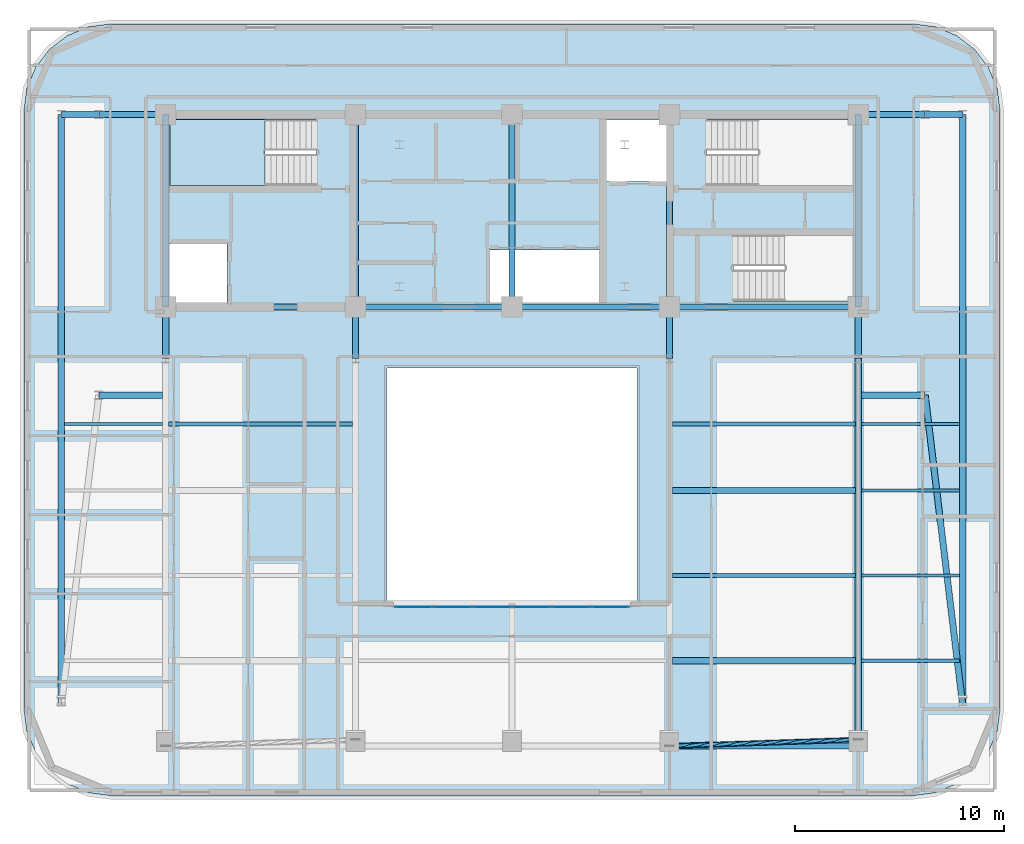
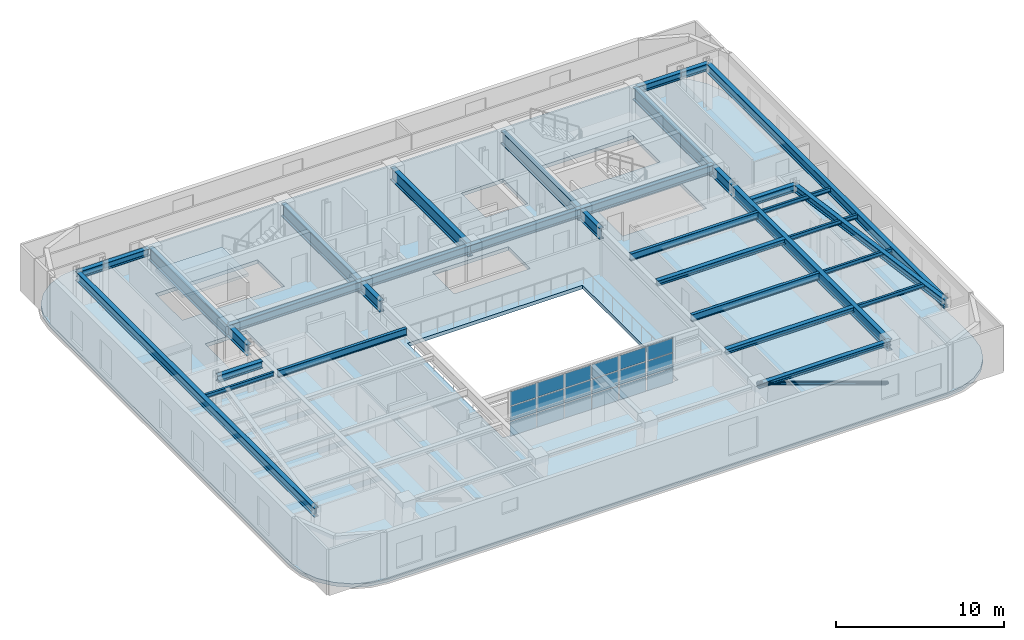
# One storey, part 3 of 14: 34 beams, 18 plates, 2 slabs, 1 member, 2 elements without a shape of their own.
"""IFC4 building model written with IfcOpenShell, lengths in metres."""

from ifc_helpers import new_model, si_unit, direction, frame, origin, origin_2d, place, context, subcontext, project, spatial, polyline, rectangle, hollow_circle, i_section, outline, extrude, material, layer, layer_set, material_profile, profile_set, type_object, element, aggregate, save


model = new_model("IFC4")

# Units and contexts
model_context = context("Model", 3, precision=1e-05, world=origin(), true_north=direction((0.0, 1.0)))
body_context = subcontext(model_context, "Body", "Model", "MODEL_VIEW")
ifc_project = project(units=[si_unit("LENGTHUNIT", "METRE"), si_unit("AREAUNIT", "SQUARE_METRE"), si_unit("VOLUMEUNIT", "CUBIC_METRE"), si_unit("PLANEANGLEUNIT", "RADIAN"), si_unit("MASSUNIT", "GRAM", prefix="KILO")], contexts=[model_context])

# Site, building, storey
site_placement = place(None, origin())
site = spatial("IfcSite", under=ifc_project, at=site_placement, CompositionType="ELEMENT")
building_placement = place(site_placement, origin())
building = spatial("IfcBuilding", under=site, at=building_placement, Name="Zarnavel Station Tower", CompositionType="ELEMENT")
storey_placement = place(building_placement, frame((0.0, 0.0, 211.199951171875)))
storey = spatial("IfcBuildingStorey", under=building, at=storey_placement, Name="L57", CompositionType="ELEMENT", Elevation=211.199951171875)

# Member
ifc_material_1 = material(Name="Steel S355J2", Category="steel")
ifc_material_profile_1 = material_profile(ifc_material_1, hollow_circle(Radius=0.122314453125, WallThickness=0.010009765625, at=origin_2d()), Name="CHS244.5x10")
ifc_profile_set_1 = profile_set([ifc_material_profile_1], Name="Steel S355J2")
member_type = type_object("IfcMemberType", Name="DB_EXT_CHS245", PredefinedType="BRACE", material=ifc_profile_set_1)
member_placement = place(storey_placement, frame((45.39990234375, 7.089111328125, 0.0), z_axis=(-0.937681259663, -0.031367345473, 0.3460779463), x_axis=(0.033433332735, -0.999440949863, 0.0)))
element("IfcMember", 1, at=member_placement, inside=storey, type_object=member_type, Name="L57 Persian Exterior Diagonal Frame Brace 2", PredefinedType="BRACE", context=body_context, shape_type="SweptSolid", body=[
    extrude(hollow_circle(Radius=0.122314453125, WallThickness=0.010009765625, at=origin_2d()), origin(), (0.0, 0.0, 1.0), 9.6513671875),
])

# Beams
ifc_material_2 = material(Name="Steel S355J2", Category="steel")
ifc_material_profile_2 = material_profile(ifc_material_2, i_section(OverallWidth=0.300048828125, OverallDepth=0.320068359375, WebThickness=0.011474609375, FlangeThickness=0.0205078125, FilletRadius=0.027099609375, at=origin_2d()), Name="HEB320")
ifc_profile_set_2 = profile_set([ifc_material_profile_2], Name="Steel S355J2")
beam_type_1 = type_object("IfcBeamType", Name="EB_HEB320", PredefinedType="SPANDREL", material=ifc_profile_set_2)
beam_1_placement = place(storey_placement, frame((36.35009765625, 6.786376953125, 3.179931640625), z_axis=(1.0, 0.0, 0.0), x_axis=(0.0, 1.0, 0.0)))
element("IfcBeam", 2, at=beam_1_placement, inside=storey, type_object=beam_type_1, Name="L57 South Raked Spandrel 4", PredefinedType="SPANDREL", context=body_context, shape_type="SweptSolid", body=[
    extrude(i_section(OverallWidth=0.300048828125, OverallDepth=0.320068359375, WebThickness=0.011474609375, FlangeThickness=0.0205078125, FilletRadius=0.027099609375, at=origin_2d()), origin(), (0.0, 0.0, 1.0), 9.0498046875),
])
ifc_material_3 = material(Name="Steel S355J2", Category="steel")
ifc_material_profile_3 = material_profile(ifc_material_3, i_section(OverallWidth=0.300048828125, OverallDepth=0.35009765625, WebThickness=0.010009765625, FlangeThickness=0.017578125, FilletRadius=0.027099609375, at=origin_2d()), Name="HEA360")
ifc_profile_set_3 = profile_set([ifc_material_profile_3], Name="Steel S355J2")
beam_type_2 = type_object("IfcBeamType", Name="FB_HEA360", PredefinedType="BEAM", material=ifc_profile_set_3)
for number, where, z_axis, x_axis, name in (
    (3, (36.4951171875, 10.869140625, 3.1650390625), (1.0, 0.0, 0.0), (0.0, 1.0, 0.0), "L57 East Bay Beam 1"),
    (4, (36.4951171875, 19.03466796875, 3.1650390625), (1.0, 0.0, 0.0), (0.0, 1.0, 0.0), "L57 East Bay Beam 3"),
):
    element("IfcBeam", number, at=place(storey_placement, frame(where, z_axis=z_axis, x_axis=x_axis)), inside=storey, type_object=beam_type_2, Name=name, PredefinedType="BEAM", context=body_context, shape_type="SweptSolid", body=[
        extrude(i_section(OverallWidth=0.300048828125, OverallDepth=0.35009765625, WebThickness=0.010009765625, FlangeThickness=0.017578125, FilletRadius=0.027099609375, at=origin_2d()), origin(), (0.0, 0.0, 1.0), 8.759765625),
    ])
ifc_material_4 = material(Name="Steel S355J2", Category="steel")
ifc_material_profile_4 = material_profile(ifc_material_4, i_section(OverallWidth=0.199951171875, OverallDepth=0.5, WebThickness=0.01025390625, FlangeThickness=0.01611328125, FilletRadius=0.02099609375, at=origin_2d()), Name="IPE500")
ifc_profile_set_4 = profile_set([ifc_material_profile_4], Name="Steel S355J2")
beam_type_3 = type_object("IfcBeamType", Name="FB_IPE500", PredefinedType="BEAM", material=ifc_profile_set_4)
beam_2_placement = place(storey_placement, frame((36.4951171875, 14.951904296875, 3.090087890625), z_axis=(1.0, 0.0, 0.0), x_axis=(0.0, 1.0, 0.0)))
element("IfcBeam", 5, at=beam_2_placement, inside=storey, type_object=beam_type_3, Name="L57 East Bay Beam 2", PredefinedType="BEAM", context=body_context, shape_type="SweptSolid", body=[
    extrude(i_section(OverallWidth=0.199951171875, OverallDepth=0.5, WebThickness=0.01025390625, FlangeThickness=0.01611328125, FilletRadius=0.02099609375, at=origin_2d()), origin(), (0.0, 0.0, 1.0), 8.759765625),
])
beam_3_placement = place(storey_placement, frame((12.344970703125, 22.21728515625, 3.090087890625), z_axis=(1.0, 0.0, 0.0), x_axis=(0.0, 1.0, 0.0)))
element("IfcBeam", 6, at=beam_3_placement, inside=storey, type_object=beam_type_3, Name="L57 West Bay Beam 4", PredefinedType="BEAM", context=body_context, shape_type="SweptSolid", body=[
    extrude(i_section(OverallWidth=0.199951171875, OverallDepth=0.5, WebThickness=0.01025390625, FlangeThickness=0.01611328125, FilletRadius=0.02099609375, at=origin_2d()), origin(), (0.0, 0.0, 1.0), 8.81005859375),
])
beam_4_placement = place(storey_placement, frame((36.4951171875, 22.21728515625, 3.090087890625), z_axis=(1.0, 0.0, 0.0), x_axis=(0.0, 1.0, 0.0)))
element("IfcBeam", 7, at=beam_4_placement, inside=storey, type_object=beam_type_3, Name="L57 East Bay Beam 4", PredefinedType="BEAM", context=body_context, shape_type="SweptSolid", body=[
    extrude(i_section(OverallWidth=0.199951171875, OverallDepth=0.5, WebThickness=0.01025390625, FlangeThickness=0.01611328125, FilletRadius=0.02099609375, at=origin_2d()), origin(), (0.0, 0.0, 1.0), 8.759765625),
])
ifc_material_5 = material(Name="Steel S355J2", Category="steel")
ifc_material_profile_5 = material_profile(ifc_material_5, i_section(OverallWidth=0.300048828125, OverallDepth=0.5, WebThickness=0.014404296875, FlangeThickness=0.028076171875, FilletRadius=0.027099609375, at=origin_2d()), Name="HEB500")
ifc_profile_set_5 = profile_set([ifc_material_profile_5], Name="Steel S355J2")
beam_type_4 = type_object("IfcBeamType", Name="FG_HEB500", PredefinedType="USERDEFINED", material=ifc_profile_set_5)
beam_5_placement = place(storey_placement, frame((7.199951171875, 37.050048828125, 3.090087890625), z_axis=(1.0, 0.0, 0.0), x_axis=(0.0, 1.0, 0.0)))
element("IfcBeam", 8, at=beam_5_placement, inside=storey, type_object=beam_type_4, Name="L57 West Wing North Tie 1", ObjectType="GIRDER", PredefinedType="USERDEFINED", context=body_context, shape_type="SweptSolid", body=[
    extrude(i_section(OverallWidth=0.300048828125, OverallDepth=0.5, WebThickness=0.014404296875, FlangeThickness=0.028076171875, FilletRadius=0.027099609375, at=origin_2d()), origin(), (0.0, 0.0, 1.0), 1.800048828125),
])
for number, where, z_axis, x_axis, name in (
    (9, (9.0, 23.60009765625, 3.090087890625), (1.0, 0.0, 0.0), (0.0, 1.0, 0.0), "L57 West Wing South Tie 2"),
    (10, (9.0, 37.050048828125, 3.090087890625), (1.0, 0.0, 0.0), (0.0, 1.0, 0.0), "L57 West Wing North Tie 2"),
):
    element("IfcBeam", number, at=place(storey_placement, frame(where, z_axis=z_axis, x_axis=x_axis)), inside=storey, type_object=beam_type_4, Name=name, ObjectType="GIRDER", PredefinedType="USERDEFINED", context=body_context, shape_type="SweptSolid", body=[
        extrude(i_section(OverallWidth=0.300048828125, OverallDepth=0.5, WebThickness=0.014404296875, FlangeThickness=0.028076171875, FilletRadius=0.027099609375, at=origin_2d()), origin(), (0.0, 0.0, 1.0), 3.054931640625),
    ])
for number, where, z_axis, x_axis, name in (
    (11, (45.544921875, 23.60009765625, 3.090087890625), (1.0, 0.0, 0.0), (0.0, 1.0, 0.0), "L57 East Wing South Tie 1"),
    (12, (45.544921875, 37.050048828125, 3.090087890625), (1.0, 0.0, 0.0), (0.0, 1.0, 0.0), "L57 East Wing North Tie 1"),
):
    element("IfcBeam", number, at=place(storey_placement, frame(where, z_axis=z_axis, x_axis=x_axis)), inside=storey, type_object=beam_type_4, Name=name, ObjectType="GIRDER", PredefinedType="USERDEFINED", context=body_context, shape_type="SweptSolid", body=[
        extrude(i_section(OverallWidth=0.300048828125, OverallDepth=0.5, WebThickness=0.014404296875, FlangeThickness=0.028076171875, FilletRadius=0.027099609375, at=origin_2d()), origin(), (0.0, 0.0, 1.0), 3.05517578125),
    ])
beam_6_placement = place(storey_placement, frame((48.60009765625, 23.60009765625, 3.090087890625), z_axis=(0.120150300673, -0.992755712775, 0.0), x_axis=(0.992755712775, 0.120150300673, 0.0)))
element("IfcBeam", 13, at=beam_6_placement, inside=storey, type_object=beam_type_4, Name="L57 East Wing South Tie 2", ObjectType="GIRDER", PredefinedType="USERDEFINED", context=body_context, shape_type="SweptSolid", body=[
    extrude(i_section(OverallWidth=0.300048828125, OverallDepth=0.5, WebThickness=0.014404296875, FlangeThickness=0.028076171875, FilletRadius=0.027099609375, at=origin_2d()), origin(), (0.0, 0.0, 1.0), 14.9794921875),
])
beam_7_placement = place(storey_placement, frame((48.60009765625, 37.050048828125, 3.090087890625), z_axis=(1.0, 0.0, 0.0), x_axis=(0.0, 1.0, 0.0)))
element("IfcBeam", 14, at=beam_7_placement, inside=storey, type_object=beam_type_4, Name="L57 East Wing North Tie 2", ObjectType="GIRDER", PredefinedType="USERDEFINED", context=body_context, shape_type="SweptSolid", body=[
    extrude(i_section(OverallWidth=0.300048828125, OverallDepth=0.5, WebThickness=0.014404296875, FlangeThickness=0.028076171875, FilletRadius=0.027099609375, at=origin_2d()), origin(), (0.0, 0.0, 1.0), 1.7998046875),
])
ifc_material_6 = material(Name="Steel S355J2", Category="steel")
ifc_material_profile_6 = material_profile(ifc_material_6, i_section(OverallWidth=0.300048828125, OverallDepth=0.60009765625, WebThickness=0.015380859375, FlangeThickness=0.030029296875, FilletRadius=0.027099609375, at=origin_2d()), Name="HEB600")
ifc_profile_set_6 = profile_set([ifc_material_profile_6], Name="Steel S355J2")
beam_type_5 = type_object("IfcBeamType", Name="FG_HEB600", PredefinedType="USERDEFINED", material=ifc_profile_set_6)
beam_8_placement = place(storey_placement, frame((12.199951171875, 27.820068359375, 3.0400390625), z_axis=(1.0, 0.0, 0.0), x_axis=(0.0, 1.0, 0.0)))
element("IfcBeam", 15, at=beam_8_placement, inside=storey, type_object=beam_type_5, Name="L57 Core Front Coupling Beam 1", ObjectType="GIRDER", PredefinedType="USERDEFINED", context=body_context, shape_type="SweptSolid", body=[
    extrude(i_section(OverallWidth=0.300048828125, OverallDepth=0.60009765625, WebThickness=0.015380859375, FlangeThickness=0.030029296875, FilletRadius=0.027099609375, at=origin_2d()), origin(), (0.0, 0.0, 1.0), 9.10009765625),
])
beam_9_placement = place(storey_placement, frame((21.300048828125, 27.820068359375, 3.0400390625), z_axis=(1.0, 0.0, 0.0), x_axis=(0.0, 1.0, 0.0)))
element("IfcBeam", 16, at=beam_9_placement, inside=storey, type_object=beam_type_5, Name="L57 Core Front Coupling Beam 2", ObjectType="GIRDER", PredefinedType="USERDEFINED", context=body_context, shape_type="SweptSolid", body=[
    extrude(i_section(OverallWidth=0.300048828125, OverallDepth=0.60009765625, WebThickness=0.015380859375, FlangeThickness=0.030029296875, FilletRadius=0.027099609375, at=origin_2d()), origin(), (0.0, 0.0, 1.0), 7.5),
])
beam_10_placement = place(storey_placement, frame((28.800048828125, 27.820068359375, 3.0400390625), z_axis=(1.0, 0.0, 0.0), x_axis=(0.0, 1.0, 0.0)))
element("IfcBeam", 17, at=beam_10_placement, inside=storey, type_object=beam_type_5, Name="L57 Core Front Coupling Beam 3", ObjectType="GIRDER", PredefinedType="USERDEFINED", context=body_context, shape_type="SweptSolid", body=[
    extrude(i_section(OverallWidth=0.300048828125, OverallDepth=0.60009765625, WebThickness=0.015380859375, FlangeThickness=0.030029296875, FilletRadius=0.027099609375, at=origin_2d()), origin(), (0.0, 0.0, 1.0), 7.550048828125),
])
beam_11_placement = place(storey_placement, frame((36.35009765625, 27.820068359375, 3.0400390625), z_axis=(1.0, 0.0, 0.0), x_axis=(0.0, 1.0, 0.0)))
element("IfcBeam", 18, at=beam_11_placement, inside=storey, type_object=beam_type_5, Name="L57 Core Front Coupling Beam 4", ObjectType="GIRDER", PredefinedType="USERDEFINED", context=body_context, shape_type="SweptSolid", body=[
    extrude(i_section(OverallWidth=0.300048828125, OverallDepth=0.60009765625, WebThickness=0.015380859375, FlangeThickness=0.030029296875, FilletRadius=0.027099609375, at=origin_2d()), origin(), (0.0, 0.0, 1.0), 9.0498046875),
])
ifc_material_7 = material(Name="Steel S355J2", Category="steel")
ifc_material_profile_7 = material_profile(ifc_material_7, i_section(OverallWidth=0.300048828125, OverallDepth=0.64990234375, WebThickness=0.01611328125, FlangeThickness=0.031005859375, FilletRadius=0.027099609375, at=origin_2d()), Name="HEB650")
ifc_profile_set_7 = profile_set([ifc_material_profile_7], Name="Steel S355J2")
beam_type_6 = type_object("IfcBeamType", Name="FG_HEB650", PredefinedType="USERDEFINED", material=ifc_profile_set_7)
for number, where, z_axis, x_axis, name in (
    (19, (7.199951171875, 8.72900390625, 3.01513671875), (0.0, 1.0, 0.0), (-1.0, 0.0, 0.0), "L57 Wing NS Girder 1"),
    (20, (50.39990234375, 8.72900390625, 3.01513671875), (0.0, 1.0, 0.0), (-1.0, 0.0, 0.0), "L57 Wing NS Girder 2"),
):
    element("IfcBeam", number, at=place(storey_placement, frame(where, z_axis=z_axis, x_axis=x_axis)), inside=storey, type_object=beam_type_6, Name=name, ObjectType="GIRDER", PredefinedType="USERDEFINED", context=body_context, shape_type="SweptSolid", body=[
        extrude(i_section(OverallWidth=0.300048828125, OverallDepth=0.64990234375, WebThickness=0.01611328125, FlangeThickness=0.031005859375, FilletRadius=0.027099609375, at=origin_2d()), origin(), (0.0, 0.0, 1.0), 28.321044921875),
    ])
ifc_material_8 = material(Name="Steel S355J2", Category="steel")
ifc_material_profile_8 = material_profile(ifc_material_8, i_section(OverallWidth=0.300048828125, OverallDepth=0.800048828125, WebThickness=0.017578125, FlangeThickness=0.032958984375, FilletRadius=0.030029296875, at=origin_2d()), Name="HEB800")
ifc_profile_set_8 = profile_set([ifc_material_profile_8], Name="Steel S355J2")
beam_type_7 = type_object("IfcBeamType", Name="FG_HEB800", PredefinedType="USERDEFINED", material=ifc_profile_set_8)
for number, where, z_axis, x_axis, name in (
    (21, (12.199951171875, 25.35009765625, 2.93994140625), (0.0, 1.0, 0.0), (-1.0, 0.0, 0.0), "L57 Inner-Zone NS Girder 1"),
    (22, (21.300048828125, 25.35009765625, 2.93994140625), (0.0, 1.0, 0.0), (-1.0, 0.0, 0.0), "L57 Inner-Zone NS Girder 2"),
    (23, (36.35009765625, 25.35009765625, 2.93994140625), (0.0, 1.0, 0.0), (-1.0, 0.0, 0.0), "L57 Inner-Zone NS Girder 4"),
):
    element("IfcBeam", number, at=place(storey_placement, frame(where, z_axis=z_axis, x_axis=x_axis)), inside=storey, type_object=beam_type_7, Name=name, ObjectType="GIRDER", PredefinedType="USERDEFINED", context=body_context, shape_type="SweptSolid", body=[
        extrude(i_section(OverallWidth=0.300048828125, OverallDepth=0.800048828125, WebThickness=0.017578125, FlangeThickness=0.032958984375, FilletRadius=0.030029296875, at=origin_2d()), origin(), (0.0, 0.0, 1.0), 2.469970703125),
    ])
beam_12_placement = place(storey_placement, frame((45.39990234375, 6.786376953125, 2.93994140625), z_axis=(0.0, 1.0, 0.0), x_axis=(-1.0, 0.0, 0.0)))
element("IfcBeam", 24, at=beam_12_placement, inside=storey, type_object=beam_type_7, Name="L57 South-Zone NS Girder 5", ObjectType="GIRDER", PredefinedType="USERDEFINED", context=body_context, shape_type="SweptSolid", body=[
    extrude(i_section(OverallWidth=0.300048828125, OverallDepth=0.800048828125, WebThickness=0.017578125, FlangeThickness=0.032958984375, FilletRadius=0.030029296875, at=origin_2d()), origin(), (0.0, 0.0, 1.0), 18.563720703125),
])
beam_13_placement = place(storey_placement, frame((45.39990234375, 25.35009765625, 2.93994140625), z_axis=(0.0, 1.0, 0.0), x_axis=(-1.0, 0.0, 0.0)))
element("IfcBeam", 25, at=beam_13_placement, inside=storey, type_object=beam_type_7, Name="L57 Inner-Zone NS Girder 5", ObjectType="GIRDER", PredefinedType="USERDEFINED", context=body_context, shape_type="SweptSolid", body=[
    extrude(i_section(OverallWidth=0.300048828125, OverallDepth=0.800048828125, WebThickness=0.017578125, FlangeThickness=0.032958984375, FilletRadius=0.030029296875, at=origin_2d()), origin(), (0.0, 0.0, 1.0), 2.469970703125),
])
ifc_material_9 = material(Name="Steel S355J2", Category="steel")
ifc_material_profile_9 = material_profile(ifc_material_9, i_section(OverallWidth=0.14990234375, OverallDepth=0.300048828125, WebThickness=0.007080078125, FlangeThickness=0.0107421875, FilletRadius=0.014892578125, at=origin_2d()), Name="IPE300")
ifc_profile_set_9 = profile_set([ifc_material_profile_9], Name="Steel S355J2")
beam_type_8 = type_object("IfcBeamType", Name="FJ_IPE300", PredefinedType="JOIST", material=ifc_profile_set_9)
for number, where, z_axis, x_axis, name in (
    (26, (45.544921875, 10.869140625, 3.18994140625), (1.0, 0.0, 0.0), (0.0, 1.0, 0.0), "L57 East Wing Joist 1"),
    (27, (45.544921875, 14.951904296875, 3.18994140625), (1.0, 0.0, 0.0), (0.0, 1.0, 0.0), "L57 East Wing Joist 2"),
    (28, (45.544921875, 19.03466796875, 3.18994140625), (1.0, 0.0, 0.0), (0.0, 1.0, 0.0), "L57 East Wing Joist 3"),
    (29, (7.344970703125, 22.21728515625, 3.18994140625), (1.0, 0.0, 0.0), (0.0, 1.0, 0.0), "L57 West Wing Joist 4"),
    (30, (45.544921875, 22.21728515625, 3.18994140625), (1.0, 0.0, 0.0), (0.0, 1.0, 0.0), "L57 East Wing Joist 4"),
):
    element("IfcBeam", number, at=place(storey_placement, frame(where, z_axis=z_axis, x_axis=x_axis)), inside=storey, type_object=beam_type_8, Name=name, PredefinedType="JOIST", context=body_context, shape_type="SweptSolid", body=[
        extrude(i_section(OverallWidth=0.14990234375, OverallDepth=0.300048828125, WebThickness=0.007080078125, FlangeThickness=0.0107421875, FilletRadius=0.014892578125, at=origin_2d()), origin(), (0.0, 0.0, 1.0), 4.7099609375),
    ])
ifc_material_10 = material(Name="Steel S460M", Category="steel")
ifc_material_profile_10 = material_profile(ifc_material_10, i_section(OverallWidth=0.302001953125, OverallDepth=0.909912109375, WebThickness=0.02099609375, FlangeThickness=0.0400390625, FilletRadius=0.030029296875, at=origin_2d()), Name="HEM900")
ifc_profile_set_10 = profile_set([ifc_material_profile_10], Name="Steel S460M")
beam_type_9 = type_object("IfcBeamType", Name="TG_HEM900", PredefinedType="USERDEFINED", material=ifc_profile_set_10)
for number, where, z_axis, x_axis, name in (
    (31, (12.199951171875, 27.820068359375, 2.885009765625), (0.0, 1.0, 0.0), (-1.0, 0.0, 0.0), "L57 Core Spine Coupling Girder 1"),
    (32, (21.300048828125, 27.820068359375, 2.885009765625), (0.0, 1.0, 0.0), (-1.0, 0.0, 0.0), "L57 Core Spine Coupling Girder 2"),
    (33, (28.800048828125, 27.820068359375, 2.885009765625), (0.0, 1.0, 0.0), (-1.0, 0.0, 0.0), "L57 Core Spine Coupling Girder 3"),
    (34, (36.35009765625, 27.820068359375, 2.885009765625), (0.0, 1.0, 0.0), (-1.0, 0.0, 0.0), "L57 Core Spine Coupling Girder 4"),
    (35, (45.39990234375, 27.820068359375, 2.885009765625), (0.0, 1.0, 0.0), (-1.0, 0.0, 0.0), "L57 Core Spine Coupling Girder 5"),
):
    element("IfcBeam", number, at=place(storey_placement, frame(where, z_axis=z_axis, x_axis=x_axis)), inside=storey, type_object=beam_type_9, Name=name, ObjectType="GIRDER", PredefinedType="USERDEFINED", context=body_context, shape_type="SweptSolid", body=[
        extrude(i_section(OverallWidth=0.302001953125, OverallDepth=0.909912109375, WebThickness=0.02099609375, FlangeThickness=0.0400390625, FilletRadius=0.030029296875, at=origin_2d()), origin(), (0.0, 0.0, 1.0), 9.22998046875),
    ])

# Curtain wall, plates
ifc_material_11 = material(Name="Aluminium Dark Anodised and Solar-Control Glass", Category="aluminium")
ifc_layer_1 = layer(ifc_material_11, 0.179931640625)
ifc_layer_set_1 = layer_set([ifc_layer_1], Name="CWS5")
curtain_wall_type = type_object("IfcCurtainWallType", Name="CWS5", PredefinedType="NOTDEFINED", material=ifc_layer_set_1)
curtain_wall_placement = place(storey_placement, origin())
curtain_wall = element("IfcCurtainWall", 36, at=curtain_wall_placement, inside=storey, type_object=curtain_wall_type, Name="L57 Curtain Wall CWS5-L57-AS", PredefinedType="NOTDEFINED")
ifc_material_12 = material(Name="Double Low-E Dark Solar-Control Glass", Category="glass")
ifc_layer_2 = layer(ifc_material_12, 0.033935546875)
ifc_layer_set_2 = layer_set([ifc_layer_2], Name="CWS5_PNL")
plate_type = type_object("IfcPlateType", Name="CWS5_PNL", PredefinedType="CURTAIN_PANEL", material=ifc_layer_set_2)
plate_1_placement = place(storey_placement, frame((24.106689453125, 13.449951171875, 0.06005859375), z_axis=(0.0, 0.0, 1.0), x_axis=(1.0, 0.0, 0.0)))
plate_1 = element("IfcPlate", 37, at=plate_1_placement, type_object=plate_type, Name="CW5 panel 1.1", PredefinedType="CURTAIN_PANEL", context=body_context, shape_type="SweptSolid", body=[
    extrude(rectangle(XDim=1.793212890625, YDim=0.028076171875, at=origin_2d()), origin(), (0.0, 0.0, 1.0), 1.023193359375),
])
plate_2_placement = place(storey_placement, frame((24.106689453125, 13.449951171875, 1.1435546875), z_axis=(0.0, 0.0, 1.0), x_axis=(1.0, 0.0, 0.0)))
plate_2 = element("IfcPlate", 38, at=plate_2_placement, type_object=plate_type, Name="CW5 panel 1.2", PredefinedType="CURTAIN_PANEL", context=body_context, shape_type="SweptSolid", body=[
    extrude(rectangle(XDim=1.793212890625, YDim=0.028076171875, at=origin_2d()), origin(), (0.0, 0.0, 1.0), 1.053466796875),
])
plate_3_placement = place(storey_placement, frame((24.106689453125, 13.449951171875, 2.2568359375), z_axis=(0.0, 0.0, 1.0), x_axis=(1.0, 0.0, 0.0)))
plate_3 = element("IfcPlate", 39, at=plate_3_placement, type_object=plate_type, Name="CW5 panel 1.3", PredefinedType="CURTAIN_PANEL", context=body_context, shape_type="SweptSolid", body=[
    extrude(rectangle(XDim=1.793212890625, YDim=0.028076171875, at=origin_2d()), origin(), (0.0, 0.0, 1.0), 1.023193359375),
])
plate_4_placement = place(storey_placement, frame((25.97509765625, 13.449951171875, 0.06005859375), z_axis=(0.0, 0.0, 1.0), x_axis=(1.0, 0.0, 0.0)))
plate_4 = element("IfcPlate", 40, at=plate_4_placement, type_object=plate_type, Name="CW5 panel 2.1", PredefinedType="CURTAIN_PANEL", context=body_context, shape_type="SweptSolid", body=[
    extrude(rectangle(XDim=1.8232421875, YDim=0.028076171875, at=origin_2d()), origin(), (0.0, 0.0, 1.0), 1.023193359375),
])
plate_5_placement = place(storey_placement, frame((25.97509765625, 13.449951171875, 1.1435546875), z_axis=(0.0, 0.0, 1.0), x_axis=(1.0, 0.0, 0.0)))
plate_5 = element("IfcPlate", 41, at=plate_5_placement, type_object=plate_type, Name="CW5 panel 2.2", PredefinedType="CURTAIN_PANEL", context=body_context, shape_type="SweptSolid", body=[
    extrude(rectangle(XDim=1.8232421875, YDim=0.028076171875, at=origin_2d()), origin(), (0.0, 0.0, 1.0), 1.053466796875),
])
plate_6_placement = place(storey_placement, frame((25.97509765625, 13.449951171875, 2.2568359375), z_axis=(0.0, 0.0, 1.0), x_axis=(1.0, 0.0, 0.0)))
plate_6 = element("IfcPlate", 42, at=plate_6_placement, type_object=plate_type, Name="CW5 panel 2.3", PredefinedType="CURTAIN_PANEL", context=body_context, shape_type="SweptSolid", body=[
    extrude(rectangle(XDim=1.8232421875, YDim=0.028076171875, at=origin_2d()), origin(), (0.0, 0.0, 1.0), 1.023193359375),
])
plate_7_placement = place(storey_placement, frame((27.8583984375, 13.449951171875, 0.06005859375), z_axis=(0.0, 0.0, 1.0), x_axis=(1.0, 0.0, 0.0)))
plate_7 = element("IfcPlate", 43, at=plate_7_placement, type_object=plate_type, Name="CW5 panel 3.1", PredefinedType="CURTAIN_PANEL", context=body_context, shape_type="SweptSolid", body=[
    extrude(rectangle(XDim=1.8232421875, YDim=0.028076171875, at=origin_2d()), origin(), (0.0, 0.0, 1.0), 1.023193359375),
])
plate_8_placement = place(storey_placement, frame((27.8583984375, 13.449951171875, 1.1435546875), z_axis=(0.0, 0.0, 1.0), x_axis=(1.0, 0.0, 0.0)))
plate_8 = element("IfcPlate", 44, at=plate_8_placement, type_object=plate_type, Name="CW5 panel 3.2", PredefinedType="CURTAIN_PANEL", context=body_context, shape_type="SweptSolid", body=[
    extrude(rectangle(XDim=1.8232421875, YDim=0.028076171875, at=origin_2d()), origin(), (0.0, 0.0, 1.0), 1.053466796875),
])
plate_9_placement = place(storey_placement, frame((27.8583984375, 13.449951171875, 2.2568359375), z_axis=(0.0, 0.0, 1.0), x_axis=(1.0, 0.0, 0.0)))
plate_9 = element("IfcPlate", 45, at=plate_9_placement, type_object=plate_type, Name="CW5 panel 3.3", PredefinedType="CURTAIN_PANEL", context=body_context, shape_type="SweptSolid", body=[
    extrude(rectangle(XDim=1.8232421875, YDim=0.028076171875, at=origin_2d()), origin(), (0.0, 0.0, 1.0), 1.023193359375),
])
plate_10_placement = place(storey_placement, frame((29.74169921875, 13.449951171875, 0.06005859375), z_axis=(0.0, 0.0, 1.0), x_axis=(1.0, 0.0, 0.0)))
plate_10 = element("IfcPlate", 46, at=plate_10_placement, type_object=plate_type, Name="CW5 panel 4.1", PredefinedType="CURTAIN_PANEL", context=body_context, shape_type="SweptSolid", body=[
    extrude(rectangle(XDim=1.8232421875, YDim=0.028076171875, at=origin_2d()), origin(), (0.0, 0.0, 1.0), 1.023193359375),
])
plate_11_placement = place(storey_placement, frame((29.74169921875, 13.449951171875, 1.1435546875), z_axis=(0.0, 0.0, 1.0), x_axis=(1.0, 0.0, 0.0)))
plate_11 = element("IfcPlate", 47, at=plate_11_placement, type_object=plate_type, Name="CW5 panel 4.2", PredefinedType="CURTAIN_PANEL", context=body_context, shape_type="SweptSolid", body=[
    extrude(rectangle(XDim=1.8232421875, YDim=0.028076171875, at=origin_2d()), origin(), (0.0, 0.0, 1.0), 1.053466796875),
])
plate_12_placement = place(storey_placement, frame((29.74169921875, 13.449951171875, 2.2568359375), z_axis=(0.0, 0.0, 1.0), x_axis=(1.0, 0.0, 0.0)))
plate_12 = element("IfcPlate", 48, at=plate_12_placement, type_object=plate_type, Name="CW5 panel 4.3", PredefinedType="CURTAIN_PANEL", context=body_context, shape_type="SweptSolid", body=[
    extrude(rectangle(XDim=1.8232421875, YDim=0.028076171875, at=origin_2d()), origin(), (0.0, 0.0, 1.0), 1.023193359375),
])
plate_13_placement = place(storey_placement, frame((31.625, 13.449951171875, 0.06005859375), z_axis=(0.0, 0.0, 1.0), x_axis=(1.0, 0.0, 0.0)))
plate_13 = element("IfcPlate", 49, at=plate_13_placement, type_object=plate_type, Name="CW5 panel 5.1", PredefinedType="CURTAIN_PANEL", context=body_context, shape_type="SweptSolid", body=[
    extrude(rectangle(XDim=1.8232421875, YDim=0.028076171875, at=origin_2d()), origin(), (0.0, 0.0, 1.0), 1.023193359375),
])
plate_14_placement = place(storey_placement, frame((31.625, 13.449951171875, 1.1435546875), z_axis=(0.0, 0.0, 1.0), x_axis=(1.0, 0.0, 0.0)))
plate_14 = element("IfcPlate", 50, at=plate_14_placement, type_object=plate_type, Name="CW5 panel 5.2", PredefinedType="CURTAIN_PANEL", context=body_context, shape_type="SweptSolid", body=[
    extrude(rectangle(XDim=1.8232421875, YDim=0.028076171875, at=origin_2d()), origin(), (0.0, 0.0, 1.0), 1.053466796875),
])
plate_15_placement = place(storey_placement, frame((31.625, 13.449951171875, 2.2568359375), z_axis=(0.0, 0.0, 1.0), x_axis=(1.0, 0.0, 0.0)))
plate_15 = element("IfcPlate", 51, at=plate_15_placement, type_object=plate_type, Name="CW5 panel 5.3", PredefinedType="CURTAIN_PANEL", context=body_context, shape_type="SweptSolid", body=[
    extrude(rectangle(XDim=1.8232421875, YDim=0.028076171875, at=origin_2d()), origin(), (0.0, 0.0, 1.0), 1.023193359375),
])
plate_16_placement = place(storey_placement, frame((33.493408203125, 13.449951171875, 0.06005859375), z_axis=(0.0, 0.0, 1.0), x_axis=(1.0, 0.0, 0.0)))
plate_16 = element("IfcPlate", 52, at=plate_16_placement, type_object=plate_type, Name="CW5 panel 6.1", PredefinedType="CURTAIN_PANEL", context=body_context, shape_type="SweptSolid", body=[
    extrude(rectangle(XDim=1.793212890625, YDim=0.028076171875, at=origin_2d()), origin(), (0.0, 0.0, 1.0), 1.023193359375),
])
plate_17_placement = place(storey_placement, frame((33.493408203125, 13.449951171875, 1.1435546875), z_axis=(0.0, 0.0, 1.0), x_axis=(1.0, 0.0, 0.0)))
plate_17 = element("IfcPlate", 53, at=plate_17_placement, type_object=plate_type, Name="CW5 panel 6.2", PredefinedType="CURTAIN_PANEL", context=body_context, shape_type="SweptSolid", body=[
    extrude(rectangle(XDim=1.793212890625, YDim=0.028076171875, at=origin_2d()), origin(), (0.0, 0.0, 1.0), 1.053466796875),
])
plate_18_placement = place(storey_placement, frame((33.493408203125, 13.449951171875, 2.2568359375), z_axis=(0.0, 0.0, 1.0), x_axis=(1.0, 0.0, 0.0)))
plate_18 = element("IfcPlate", 54, at=plate_18_placement, type_object=plate_type, Name="CW5 panel 6.3", PredefinedType="CURTAIN_PANEL", context=body_context, shape_type="SweptSolid", body=[
    extrude(rectangle(XDim=1.793212890625, YDim=0.028076171875, at=origin_2d()), origin(), (0.0, 0.0, 1.0), 1.023193359375),
])
aggregate(curtain_wall, [plate_1, plate_2, plate_3, plate_4, plate_5, plate_6, plate_7, plate_8, plate_9, plate_10, plate_11, plate_12, plate_13, plate_14, plate_15, plate_16, plate_17, plate_18])

# Slab
ifc_material_13 = material(Name="Concrete C45/55", Category="concrete")
ifc_layer_3 = layer(ifc_material_13, 0.260009765625)
ifc_layer_set_3 = layer_set([ifc_layer_3], Name="SL_FLR_260")
slab_type_1 = type_object("IfcSlabType", Name="SL_FLR_260", PredefinedType="FLOOR", material=ifc_layer_set_3)
slab_1_placement = place(storey_placement, frame((0.0, 0.0, -0.260009765625)))
element("IfcSlab", 55, at=slab_1_placement, inside=storey, type_object=slab_type_1, Name="L57 Structural Floor Slab", PredefinedType="FLOOR", context=body_context, shape_type="SweptSolid", body=[
    extrude(outline(polyline([(48.0, 4.39990234375), (49.0869140625, 4.543212890625), (50.10009765625, 4.962646484375), (50.9697265625, 5.630126953125), (51.63720703125, 6.5), (52.056884765625, 7.512939453125), (52.199951171875, 8.60009765625), (52.199951171875, 37.199951171875), (52.056884765625, 38.287109375), (51.63720703125, 39.300048828125), (50.9697265625, 40.169921875), (50.10009765625, 40.83740234375), (49.0869140625, 41.2568359375), (48.0, 41.39990234375), (9.60009765625, 41.39990234375), (8.512939453125, 41.2568359375), (7.5, 40.83740234375), (6.630126953125, 40.169921875), (5.962646484375, 39.300048828125), (5.543212890625, 38.287109375), (5.39990234375, 37.199951171875), (5.39990234375, 8.60009765625), (5.543212890625, 7.512939453125), (5.962646484375, 6.5), (6.630126953125, 5.630126953125), (7.5, 4.962646484375), (8.512939453125, 4.543212890625), (9.60009765625, 4.39990234375), (48.0, 4.39990234375)]), holes=[polyline([(12.39990234375, 33.659912109375), (19.409912109375, 33.659912109375), (19.409912109375, 36.820068359375), (12.39990234375, 36.820068359375), (12.39990234375, 33.659912109375)]), polyline([(38.14990234375, 33.659912109375), (45.159912109375, 33.659912109375), (45.159912109375, 36.820068359375), (38.14990234375, 36.820068359375), (38.14990234375, 33.659912109375)]), polyline([(39.419921875, 28.1201171875), (45.14990234375, 28.1201171875), (45.14990234375, 31.280029296875), (39.419921875, 31.280029296875), (39.419921875, 28.1201171875)]), polyline([(12.35009765625, 27.949951171875), (15.14990234375, 27.949951171875), (15.14990234375, 30.85009765625), (12.35009765625, 30.85009765625), (12.35009765625, 27.949951171875)]), polyline([(33.320068359375, 33.85009765625), (36.2099609375, 33.85009765625), (36.2099609375, 36.780029296875), (33.320068359375, 36.780029296875), (33.320068359375, 33.85009765625)]), polyline([(27.75, 27.949951171875), (32.97998046875, 27.949951171875), (32.97998046875, 30.550048828125), (27.75, 30.550048828125), (27.75, 27.949951171875)]), polyline([(22.800048828125, 13.60009765625), (34.800048828125, 13.60009765625), (34.800048828125, 24.89990234375), (22.800048828125, 24.89990234375), (22.800048828125, 13.60009765625)])]), origin(), (0.0, 0.0, 1.0), 0.260009765625),
])

# Stair, slab
ifc_material_14 = material(Name="Concrete C45/55", Category="concrete")
stair_type = type_object("IfcStairType", Name="ST_CORE_150", PredefinedType="HALF_TURN_STAIR", material=ifc_material_14)
stair_placement = place(storey_placement, origin())
stair = element("IfcStair", 56, at=stair_placement, inside=storey, type_object=stair_type, Name="L57 Core Exit Stair ST1", PredefinedType="HALF_TURN_STAIR")
ifc_material_15 = material(Name="Concrete C45/55", Category="concrete")
ifc_layer_4 = layer(ifc_material_15, 0.199951171875)
ifc_layer_set_4 = layer_set([ifc_layer_4], Name="SL_STAIR_LAND_200")
slab_type_2 = type_object("IfcSlabType", Name="SL_STAIR_LAND_200", PredefinedType="LANDING", material=ifc_layer_set_4)
slab_2_placement = place(storey_placement, frame((0.0, 0.0, 1.60009765625)))
slab_2 = element("IfcSlab", 57, at=slab_2_placement, type_object=slab_type_2, Name="ST1 landing 1", PredefinedType="LANDING", context=body_context, shape_type="SweptSolid", body=[
    extrude(outline(polyline([(16.9599609375, 36.820068359375), (12.39990234375, 36.820068359375), (12.39990234375, 33.659912109375), (16.9599609375, 33.659912109375), (16.9599609375, 36.820068359375)])), origin(), (0.0, 0.0, 1.0), 0.199951171875),
])
aggregate(stair, [slab_2])

save(model, "model.ifc")
